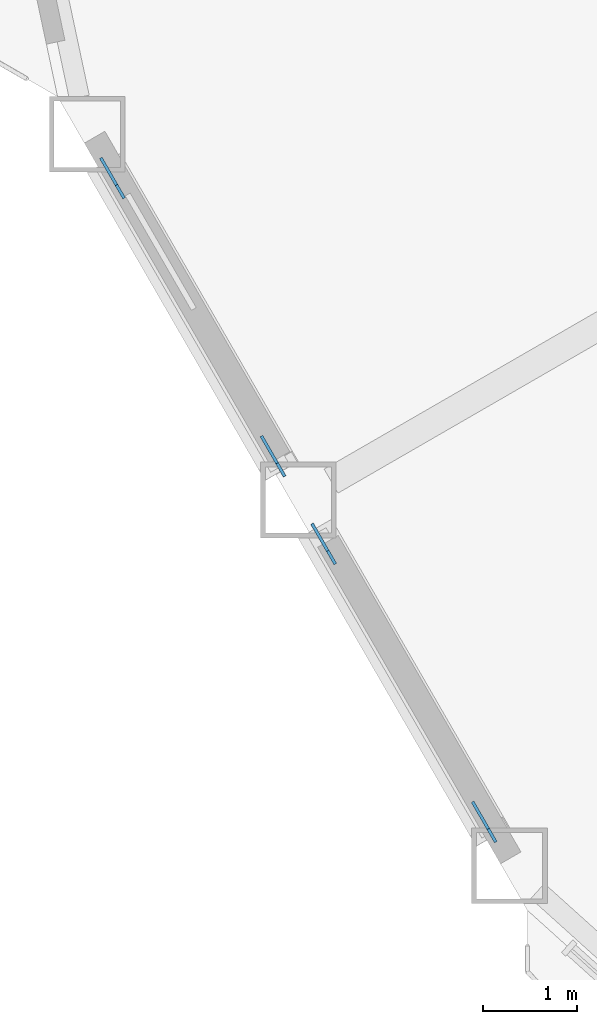
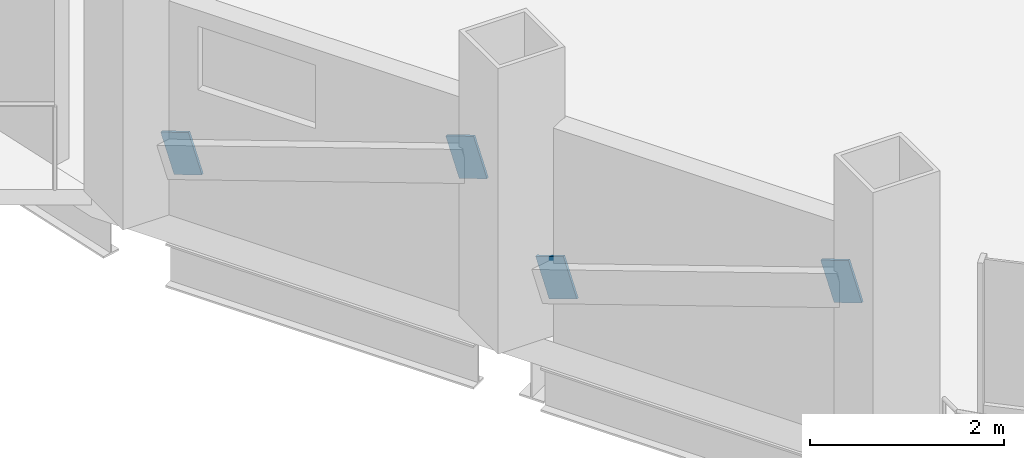
# One storey, part 16 of 23: 4 discrete accessories.
"""IFC4 building model written with IfcOpenShell, lengths in metres."""

import ifcopenshell
import ifcopenshell.guid

model = None  # the IFC model being written
_history = None  # IfcOwnerHistory: only IFC2X3 demands one
_inside = {}  # id of a spatial element -> (the spatial element, [elements in it])
_under = {}  # id of a project, library or spatial element -> (it, [spatial elements below it])
_declared = {}  # id of a project -> (the project, [libraries it declares])
_typed = {}  # id of a type object -> (the type object, [elements of that type])
_made_of = {}  # id of a material, layer set ... -> (it, [elements and type objects made of it])


def new_model(schema):
    """Start an empty IFC model of exactly this schema.

    Asked for "IFC4X3", IfcOpenShell would pick the latest addendum, in which some entities
    have other attributes; the version numbers below select the first issue.
    IFC2X3 requires an IfcOwnerHistory on every rooted entity: one is made here for all.
    """
    global model, _history
    if schema == "IFC4X3":
        model = ifcopenshell.file(schema_version=(4, 3, 0, 0))
    else:
        model = ifcopenshell.file(schema=schema)
    _inside.clear()
    _under.clear()
    _declared.clear()
    _typed.clear()
    _made_of.clear()
    _history = None
    if model.schema == "IFC2X3":
        org = make("IfcOrganization", Name="unknown")
        user = make(
            "IfcPersonAndOrganization",
            ThePerson=make("IfcPerson", FamilyName="unknown"),
            TheOrganization=org,
        )
        app = make(
            "IfcApplication",
            ApplicationDeveloper=org,
            Version="unknown",
            ApplicationFullName="unknown",
            ApplicationIdentifier="unknown",
        )
        _history = make(
            "IfcOwnerHistory",
            OwningUser=user,
            OwningApplication=app,
            ChangeAction="ADDED",
            CreationDate=0,
        )
    return model


def make(cls, **values):
    """One entity of the class cls with the attributes given. An attribute that is None is left unset."""
    return model.create_entity(
        cls, **{name: value for name, value in values.items() if value is not None}
    )


def rooted(cls, **values):
    """An entity with a GlobalId (a new one), such as an element, a storey or a relation."""
    return make(cls, GlobalId=ifcopenshell.guid.new(), OwnerHistory=_history, **values)


def si_unit(unit_type, name, prefix=None):
    """IfcSIUnit, for example si_unit("LENGTHUNIT", "METRE", prefix="MILLI")."""
    return make("IfcSIUnit", UnitType=unit_type, Prefix=prefix, Name=name)


def assignment(units):
    """IfcUnitAssignment: the units of a project."""
    return None if units is None else make("IfcUnitAssignment", Units=units)


def point(xyz):
    """IfcCartesianPoint."""
    return None if xyz is None else make("IfcCartesianPoint", Coordinates=xyz)


def direction(xyz):
    """IfcDirection."""
    return None if xyz is None else make("IfcDirection", DirectionRatios=xyz)


def frame(location, z_axis=None, x_axis=None):
    """IfcAxis2Placement3D, a coordinate frame: its origin and axes. An axis left out is left unset."""
    return make(
        "IfcAxis2Placement3D",
        Location=point(location),
        Axis=direction(z_axis),
        RefDirection=direction(x_axis),
    )


def frame_2d(location, x_axis=None):
    """IfcAxis2Placement2D, a coordinate frame in the plane: its origin and x axis."""
    return make(
        "IfcAxis2Placement2D", Location=point(location), RefDirection=direction(x_axis)
    )


def origin():
    """The frame at (0, 0, 0) with its axes left unset."""
    return frame((0.0, 0.0, 0.0))


def origin_2d():
    """The frame at (0, 0) in the plane with its x axis left unset."""
    return frame_2d((0.0, 0.0))


def place(relative_to, where):
    """IfcLocalPlacement: puts the frame where relative to a parent placement (None: the world)."""
    return make(
        "IfcLocalPlacement", PlacementRelTo=relative_to, RelativePlacement=where
    )


def context(
    kind, dimensions, precision=None, world=None, true_north=None, identifier=None
):
    """IfcGeometricRepresentationContext, for example the 3D "Model" context."""
    return make(
        "IfcGeometricRepresentationContext",
        ContextIdentifier=identifier,
        ContextType=kind,
        CoordinateSpaceDimension=dimensions,
        Precision=precision,
        WorldCoordinateSystem=world,
        TrueNorth=true_north,
    )


def subcontext(parent, identifier, kind, view, scale=None):
    """IfcGeometricRepresentationSubContext, for example "Body" below "Model"."""
    return make(
        "IfcGeometricRepresentationSubContext",
        ContextIdentifier=identifier,
        ContextType=kind,
        ParentContext=parent,
        TargetScale=scale,
        TargetView=view,
    )


def project(units=None, contexts=None):
    """IfcProject with its units and contexts."""
    return rooted(
        "IfcProject",
        Name="project",
        RepresentationContexts=contexts,
        UnitsInContext=assignment(units),
    )


def spatial(cls, under=None, at=None, **own):
    """A site, building, storey or space (cls), placed at a placement, below another one or the project."""
    s = rooted(cls, ObjectPlacement=at, **own)
    if under is not None:
        _under.setdefault(under.id(), (under, []))[1].append(s)
    return s


def profile(cls, at=None, kind="AREA", **sizes):
    """A parametric profile (cls). Its sizes go by their IFC names, for example OverallWidth=200.0."""
    return make(cls, ProfileType=kind, Position=at, **sizes)


def rectangle(**sizes):
    """IfcRectangleProfileDef."""
    return profile("IfcRectangleProfileDef", **sizes)


def extrude(swept, where, along, depth):
    """IfcExtrudedAreaSolid: the profile swept, set in the frame where, extruded along a direction by depth."""
    return make(
        "IfcExtrudedAreaSolid",
        SweptArea=swept,
        Position=where,
        ExtrudedDirection=direction(along),
        Depth=depth,
    )


def shape(context_of_items, identifier, shape_type, items):
    """IfcShapeRepresentation: the items that make up one representation, for example the "Body"."""
    return make(
        "IfcShapeRepresentation",
        ContextOfItems=context_of_items,
        RepresentationIdentifier=identifier,
        RepresentationType=shape_type,
        Items=items,
    )


def material(Name=None, Category=None):
    """IfcMaterial."""
    return make("IfcMaterial", Name=Name, Category=Category)


def material_profile(
    of_material, cross_section, Name=None, Category=None, Priority=None
):
    """IfcMaterialProfile: a cross section and its material."""
    return make(
        "IfcMaterialProfile",
        Name=Name,
        Material=of_material,
        Profile=cross_section,
        Priority=Priority,
        Category=Category,
    )


def profile_set(profiles, Name=None, composite=None):
    """IfcMaterialProfileSet."""
    return make(
        "IfcMaterialProfileSet",
        Name=Name,
        MaterialProfiles=profiles,
        CompositeProfile=composite,
    )


def made_of(thing, what):
    """Note that an element or type object is made of a material, layer set ...; save() writes the relation."""
    if what is not None:
        _made_of.setdefault(what.id(), (what, []))[1].append(thing)
    return thing


def type_object(cls, material=None, **own):
    """A type object (cls), such as IfcWallType, which elements share."""
    return made_of(rooted(cls, **own), material)


def element(
    cls,
    number,
    at=None,
    inside=None,
    cuts=None,
    type_object=None,
    material=None,
    context=None,
    identifier="Body",
    shape_type=None,
    held_by="IfcProductDefinitionShape",
    body=None,
    shapes=None,
    **own,
):
    """One element of the class cls, such as IfcWall. Its Tag is "e" and its number.

    at: its placement. inside: the storey or other place that contains it. cuts: it is an
    opening in that element (IfcRelVoidsElement). A single representation is given by context,
    identifier, shape_type and body (its items); several are given by shapes. held_by: the class
    of the entity that holds the representations. save() writes the other relations.
    """
    e = rooted(cls, Tag="e%d" % number, ObjectPlacement=at, **own)
    if body is not None:
        shapes = [shape(context, identifier, shape_type, body)]
    if shapes is not None:
        e.Representation = make(held_by, Representations=shapes)
    if inside is not None:
        _inside.setdefault(inside.id(), (inside, []))[1].append(e)
    if cuts is not None:
        rooted(
            "IfcRelVoidsElement", RelatingBuildingElement=cuts, RelatedOpeningElement=e
        )
    if type_object is not None:
        _typed.setdefault(type_object.id(), (type_object, []))[1].append(e)
    return made_of(e, material)


def aggregate(whole, parts):
    """IfcRelAggregates: a whole, such as a stair, and the parts it consists of."""
    return rooted("IfcRelAggregates", RelatingObject=whole, RelatedObjects=parts)


def save(model, path):
    """Write the relations noted so far, then the file.

    IfcRelAggregates (storeys below a building ...), IfcRelContainedInSpatialStructure (elements
    in a storey), IfcRelDefinesByType, IfcRelAssociatesMaterial and IfcRelDeclares: one each for
    every whole, place, type object, material and project.
    """
    for whole, parts in _under.values():
        aggregate(whole, parts)
    for where, things in _inside.values():
        rooted(
            "IfcRelContainedInSpatialStructure",
            RelatedElements=things,
            RelatingStructure=where,
        )
    for kind, things in _typed.values():
        rooted("IfcRelDefinesByType", RelatedObjects=things, RelatingType=kind)
    for what, things in _made_of.values():
        rooted("IfcRelAssociatesMaterial", RelatedObjects=things, RelatingMaterial=what)
    for by, libraries in _declared.values():
        rooted("IfcRelDeclares", RelatingContext=by, RelatedDefinitions=libraries)
    model.write(path)


model = new_model("IFC4")

# Units and contexts
model_context = context("Model", 3, precision=1e-05, world=origin(), true_north=direction((0.0, 1.0)))
body_context = subcontext(model_context, "Body", "Model", "MODEL_VIEW")
ifc_project = project(units=[si_unit("LENGTHUNIT", "METRE"), si_unit("AREAUNIT", "SQUARE_METRE"), si_unit("VOLUMEUNIT", "CUBIC_METRE"), si_unit("PLANEANGLEUNIT", "RADIAN"), si_unit("MASSUNIT", "GRAM", prefix="KILO")], contexts=[model_context])

# Site, building, storey
site_placement = place(None, origin())
site = spatial("IfcSite", under=ifc_project, at=site_placement, CompositionType="ELEMENT")
building_placement = place(site_placement, origin())
building = spatial("IfcBuilding", under=site, at=building_placement, Name="Cormorant Prow Tower", CompositionType="ELEMENT")
storey_placement = place(building_placement, frame((0.0, 0.0, 187.199951171875)))
storey = spatial("IfcBuildingStorey", under=building, at=storey_placement, Name="L40", CompositionType="ELEMENT", Elevation=187.199951171875)

# Discrete accessories
ifc_material = material(Name="Structural steel ASTM A500 Gr C", Category="steel")
ifc_material_profile = material_profile(ifc_material, rectangle(XDim=0.031982421875, YDim=0.506103515625, at=origin_2d()), Name="Gusset plate 32x506")
ifc_profile_set = profile_set([ifc_material_profile], Name="Structural steel ASTM A500 Gr C")
discrete_accessory_type = type_object("IfcDiscreteAccessoryType", Name="Gusset plate 32x506", PredefinedType="BRACKET", material=ifc_profile_set)
for number, where, z_axis, x_axis, name in (
    (1, (-29.943359375, -12.935791015625, 0.835693359375), (-0.473631655621, 0.821008039272, -0.31877712315), (-0.866197837791, -0.499701216534, 0.0), "Gusset plate GP2 L40.WSW00.g0"),
    (2, (-28.40966796875, -15.59228515625, 1.865478515625), (0.4742777402, -0.820918970906, 0.31804507284), (0.86587923604, 0.500253084543, 0.0), "Gusset plate GP2 L40.WSW00.g1"),
    (3, (-27.7080078125, -16.807373046875, 0.835693359375), (-0.474172452765, 0.820736730742, -0.318671780755), (-0.86587923604, -0.500253084543, 0.0), "Gusset plate GP2 L40.WSW01.g0"),
):
    element("IfcDiscreteAccessory", number, at=place(storey_placement, frame(where, z_axis=z_axis, x_axis=x_axis)), inside=storey, type_object=discrete_accessory_type, Name=name, PredefinedType="BRACKET", context=body_context, shape_type="SweptSolid", body=[
        extrude(rectangle(XDim=0.031982421875, YDim=0.506103515625, at=origin_2d()), origin(), (0.0, 0.0, 1.0), 0.35009765625),
    ])
discrete_accessory_placement = place(storey_placement, frame((-26.17431640625, -19.463623046875, 1.865478515625), z_axis=(0.47373689254, -0.821190460264, 0.318150254784), x_axis=(0.866197837791, 0.499701216534, 0.0)))
element("IfcDiscreteAccessory", 4, at=discrete_accessory_placement, inside=storey, type_object=discrete_accessory_type, Name="Gusset plate GP2 L40.WSW01.g1", PredefinedType="BRACKET", context=body_context, shape_type="SweptSolid", body=[
    extrude(rectangle(XDim=0.031982421875, YDim=0.506103515625, at=origin_2d()), origin(), (0.0, 0.0, 1.0), 0.349853515625),
])

save(model, "model.ifc")
